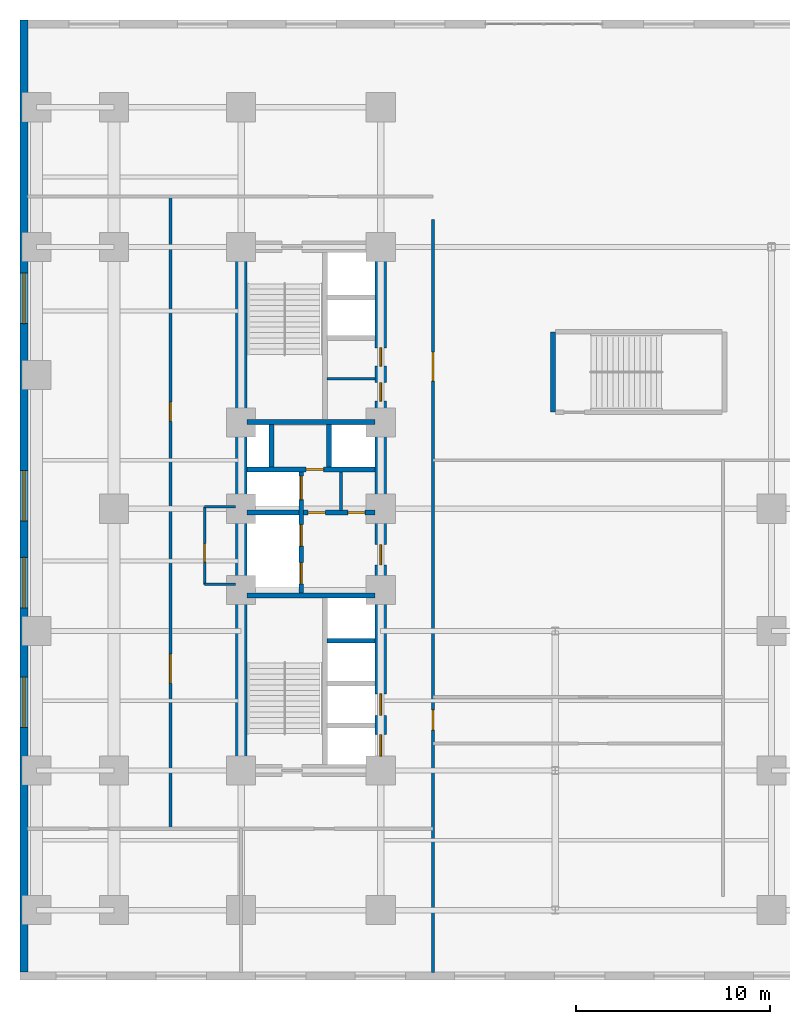
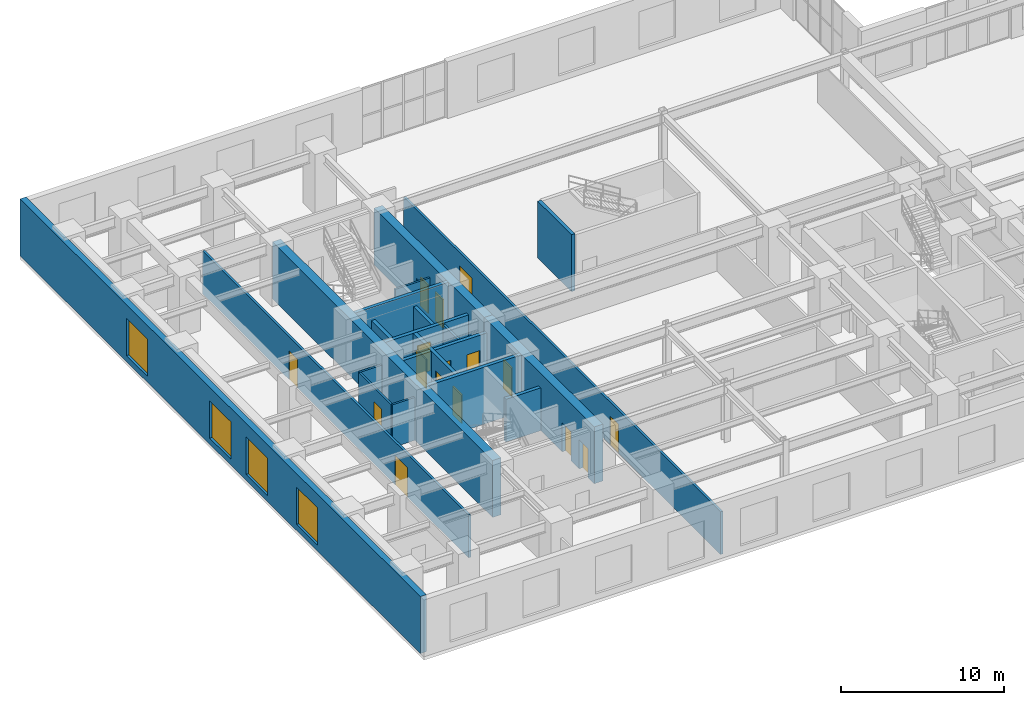
# One storey, part 9 of 15: 20 walls, 16 doors, 4 windows, 20 openings.
"""IFC4 building model written with IfcOpenShell, lengths in metres."""

from ifc_helpers import new_model, entity, si_unit, converted_unit, direction, frame, origin_with_axes, origin_2d_with_axis, place, context, subcontext, project, spatial, polyline, rectangle, outline, extrude, material, layer, layer_set, type_object, element, fill, save


model = new_model("IFC4")

# Units and contexts
model_context = context("Model", 3, precision=1e-05, world=origin_with_axes(), true_north=direction((0.0, 1.0)))
body_context = subcontext(model_context, "Body", "Model", "MODEL_VIEW")
ifc_project = project(units=[si_unit("LENGTHUNIT", "METRE"), si_unit("AREAUNIT", "SQUARE_METRE"), si_unit("VOLUMEUNIT", "CUBIC_METRE"), converted_unit("PLANEANGLEUNIT", "DEGREE", entity("IfcPlaneAngleMeasure", 0.017453292519943295), si_unit("PLANEANGLEUNIT", "RADIAN"), dimensions=[0, 0, 0, 0, 0, 0, 0]), si_unit("MASSUNIT", "GRAM", prefix="KILO"), si_unit("THERMODYNAMICTEMPERATUREUNIT", "KELVIN")], contexts=[model_context])

# Site, building, storey
site_placement = place(None, origin_with_axes())
site = spatial("IfcSite", under=ifc_project, at=site_placement, CompositionType="ELEMENT")
building_placement = place(site_placement, origin_with_axes())
building = spatial("IfcBuilding", under=site, at=building_placement, Name="Varnlund Millrace Tower", CompositionType="ELEMENT")
storey_placement = place(building_placement, frame((0.0, 0.0, 15.3), z_axis=(0.0, 0.0, 1.0), x_axis=(1.0, 0.0, 0.0)))
storey = spatial("IfcBuildingStorey", under=building, at=storey_placement, Name="L03", CompositionType="ELEMENT", Elevation=15.3)

# Wall
ifc_material_1 = material(Name="Concrete C80/95", Category="concrete")
ifc_layer_1 = layer(ifc_material_1, 0.6, Name="Concrete C80/95")
ifc_layer_set_1 = layer_set([ifc_layer_1], Name="Concrete C80/95")
wall_type_1 = type_object("IfcWallType", Name="Type-CoreWall-Shear-600-C80", PredefinedType="SHEAR", material=ifc_layer_set_1)
wall_1_placement = place(storey_placement, frame((11.4, 10.8, 0.0), z_axis=(0.0, 0.0, 1.0), x_axis=(0.0, 1.0, 0.0)))
element("IfcWall", 1, at=wall_1_placement, inside=storey, type_object=wall_type_1, Name="Type-CoreWall-Shear-600-C80", PredefinedType="SHEAR", context=body_context, shape_type="SweptSolid", body=[
    extrude(outline(polyline([(0.0, -0.3), (27.0, -0.3), (27.0, 0.3), (0.0, 0.3), (0.0, -0.3)])), origin_with_axes(), (0.0, 0.0, 1.0), 4.26),
])

# Wall, openings, doors
wall_2_placement = place(storey_placement, frame((18.6, 10.8, 0.0), z_axis=(0.0, 0.0, 1.0), x_axis=(0.0, 1.0, 0.0)))
wall_2 = element("IfcWall", 2, at=wall_2_placement, inside=storey, type_object=wall_type_1, Name="Type-CoreWall-Shear-600-C80", PredefinedType="SHEAR", context=body_context, shape_type="SweptSolid", body=[
    extrude(outline(polyline([(0.0, -0.3), (13.5, -0.3), (13.5, 0.3), (0.0, 0.3), (0.0, -0.3)])), origin_with_axes(), (0.0, 0.0, 1.0), 4.26),
])
opening_1_placement = place(wall_2_placement, frame((1.3, 0.0, 0.0), z_axis=(0.0, 0.0, 1.0), x_axis=(1.0, 0.0, 0.0)))
opening_1 = element("IfcOpeningElement", 3, at=opening_1_placement, cuts=wall_2, Name="Opening L03:LD-ELV-L1", PredefinedType="OPENING", context=body_context, shape_type="SweptSolid", body=[
    extrude(rectangle(XDim=1.1, YDim=0.62, at=origin_2d_with_axis()), origin_with_axes(), (0.0, 0.0, 1.0), 2.15),
])
opening_2_placement = place(wall_2_placement, frame((3.4, 0.0, 0.0), z_axis=(0.0, 0.0, 1.0), x_axis=(1.0, 0.0, 0.0)))
opening_2 = element("IfcOpeningElement", 4, at=opening_2_placement, cuts=wall_2, Name="Opening L03:LD-ELV-L2", PredefinedType="OPENING", context=body_context, shape_type="SweptSolid", body=[
    extrude(rectangle(XDim=1.1, YDim=0.62, at=origin_2d_with_axis()), origin_with_axes(), (0.0, 0.0, 1.0), 2.15),
])
opening_3_placement = place(wall_2_placement, frame((11.125, 0.0, 0.0), z_axis=(0.0, 0.0, 1.0), x_axis=(1.0, 0.0, 0.0)))
opening_3 = element("IfcOpeningElement", 5, at=opening_3_placement, cuts=wall_2, Name="Opening L03:DR-FFLOB-A", PredefinedType="OPENING", context=body_context, shape_type="SweptSolid", body=[
    extrude(rectangle(XDim=1.05, YDim=0.62, at=origin_2d_with_axis()), origin_with_axes(), (0.0, 0.0, 1.0), 2.15),
])
ifc_material_2 = material(Name="Smoke-barrier hollow steel fire door", Category="steel")
door_type_1 = type_object("IfcDoorType", Name="Type-FireDoor-Lobby-1050X2150", OperationType="NOTDEFINED", PredefinedType="DOOR", material=ifc_material_2)
door_1_placement = place(wall_2_placement, frame((11.125, 0.0, 0.0), z_axis=(0.0, 0.0, 1.0), x_axis=(1.0, 0.0, 0.0)))
door_1 = element("IfcDoor", 6, at=door_1_placement, inside=storey, type_object=door_type_1, Name="Type-FireDoor-Lobby-1050X2150", OperationType="SINGLE_SWING_LEFT", OverallHeight=2.15, OverallWidth=1.05, PredefinedType="DOOR", context=body_context, shape_type="SweptSolid", body=[
    extrude(rectangle(XDim=1.05, YDim=0.09, at=origin_2d_with_axis()), origin_with_axes(), (0.0, 0.0, 1.0), 2.15),
])
fill(opening_3, door_1)
ifc_material_3 = material(Name="Stainless and architectural bronze sliding landing door")
door_type_2 = type_object("IfcDoorType", Name="Type-LiftLandingDoor-1100X2150", OperationType="NOTDEFINED", PredefinedType="DOOR", material=ifc_material_3)
door_2_placement = place(wall_2_placement, frame((1.3, 0.0, 0.0), z_axis=(0.0, 0.0, 1.0), x_axis=(1.0, 0.0, 0.0)))
door_2 = element("IfcDoor", 7, at=door_2_placement, inside=storey, type_object=door_type_2, Name="Type-LiftLandingDoor-1100X2150", OperationType="SLIDING_TO_LEFT", OverallHeight=2.15, OverallWidth=1.1, PredefinedType="DOOR", context=body_context, shape_type="SweptSolid", body=[
    extrude(rectangle(XDim=1.1, YDim=0.09, at=origin_2d_with_axis()), origin_with_axes(), (0.0, 0.0, 1.0), 2.15),
])
fill(opening_1, door_2)
door_3_placement = place(wall_2_placement, frame((3.4, 0.0, 0.0), z_axis=(0.0, 0.0, 1.0), x_axis=(1.0, 0.0, 0.0)))
door_3 = element("IfcDoor", 8, at=door_3_placement, inside=storey, type_object=door_type_2, Name="Type-LiftLandingDoor-1100X2150", OperationType="SLIDING_TO_RIGHT", OverallHeight=2.15, OverallWidth=1.1, PredefinedType="DOOR", context=body_context, shape_type="SweptSolid", body=[
    extrude(rectangle(XDim=1.1, YDim=0.09, at=origin_2d_with_axis()), origin_with_axes(), (0.0, 0.0, 1.0), 2.15),
])
fill(opening_2, door_3)

wall_3_placement = place(storey_placement, frame((18.6, 24.3, 0.0), z_axis=(0.0, 0.0, 1.0), x_axis=(0.0, 1.0, 0.0)))
wall_3 = element("IfcWall", 9, at=wall_3_placement, inside=storey, type_object=wall_type_1, Name="Type-CoreWall-Shear-600-C80", PredefinedType="SHEAR", context=body_context, shape_type="SweptSolid", body=[
    extrude(outline(polyline([(0.0, -0.3), (13.5, -0.3), (13.5, 0.3), (0.0, 0.3), (0.0, -0.3)])), origin_with_axes(), (0.0, 0.0, 1.0), 4.26),
])
opening_4_placement = place(wall_3_placement, frame((6.025, 0.0, 0.0), z_axis=(0.0, 0.0, 1.0), x_axis=(1.0, 0.0, 0.0)))
opening_4 = element("IfcOpeningElement", 10, at=opening_4_placement, cuts=wall_3, Name="Opening L03:DR-CA-WC1", PredefinedType="OPENING", context=body_context, shape_type="SweptSolid", body=[
    extrude(rectangle(XDim=0.95, YDim=0.62, at=origin_2d_with_axis()), origin_with_axes(), (0.0, 0.0, 1.0), 2.15),
])
opening_5_placement = place(wall_3_placement, frame((7.825, 0.0, 0.0), z_axis=(0.0, 0.0, 1.0), x_axis=(1.0, 0.0, 0.0)))
opening_5 = element("IfcOpeningElement", 11, at=opening_5_placement, cuts=wall_3, Name="Opening L03:DR-CA-WC2", PredefinedType="OPENING", context=body_context, shape_type="SweptSolid", body=[
    extrude(rectangle(XDim=0.95, YDim=0.62, at=origin_2d_with_axis()), origin_with_axes(), (0.0, 0.0, 1.0), 2.15),
])
ifc_material_4 = material(Name="Fire-rated hollow steel core service door", Category="steel")
door_type_3 = type_object("IfcDoorType", Name="Type-FireDoor-Service-950X2150", OperationType="NOTDEFINED", PredefinedType="DOOR", material=ifc_material_4)
door_4_placement = place(wall_3_placement, frame((6.025, 0.0, 0.0), z_axis=(0.0, 0.0, 1.0), x_axis=(1.0, 0.0, 0.0)))
door_4 = element("IfcDoor", 12, at=door_4_placement, inside=storey, type_object=door_type_3, Name="Type-FireDoor-Service-950X2150", OperationType="SINGLE_SWING_RIGHT", OverallHeight=2.15, OverallWidth=0.95, PredefinedType="DOOR", context=body_context, shape_type="SweptSolid", body=[
    extrude(rectangle(XDim=0.95, YDim=0.09, at=origin_2d_with_axis()), origin_with_axes(), (0.0, 0.0, 1.0), 2.15),
])
fill(opening_4, door_4)
door_5_placement = place(wall_3_placement, frame((7.825, 0.0, 0.0), z_axis=(0.0, 0.0, 1.0), x_axis=(1.0, 0.0, 0.0)))
door_5 = element("IfcDoor", 13, at=door_5_placement, inside=storey, type_object=door_type_3, Name="Type-FireDoor-Service-950X2150", OperationType="SINGLE_SWING_RIGHT", OverallHeight=2.15, OverallWidth=0.95, PredefinedType="DOOR", context=body_context, shape_type="SweptSolid", body=[
    extrude(rectangle(XDim=0.95, YDim=0.09, at=origin_2d_with_axis()), origin_with_axes(), (0.0, 0.0, 1.0), 2.15),
])
fill(opening_5, door_5)

# Wall, openings, windows
ifc_material_5 = material(Name="Precast concrete C50/60", Category="concrete")
ifc_layer_2 = layer(ifc_material_5, 0.42, Name="Precast concrete C50/60")
ifc_layer_set_2 = layer_set([ifc_layer_2], Name="Precast concrete C50/60")
wall_type_2 = type_object("IfcWallType", Name="Type-ExtWall-Precast-Pier-420", PredefinedType="SOLIDWALL", material=ifc_layer_set_2)
wall_4_placement = place(storey_placement, frame((0.21, 0.42, 0.0), z_axis=(0.0, 0.0, 1.0), x_axis=(0.0, 1.0, 0.0)))
wall_4 = element("IfcWall", 14, at=wall_4_placement, inside=storey, type_object=wall_type_2, Name="Type-ExtWall-Precast-Pier-420", PredefinedType="SOLIDWALL", context=body_context, shape_type="SweptSolid", body=[
    extrude(outline(polyline([(0.0, -0.21), (49.08, -0.21), (49.08, 0.21), (0.0, 0.21), (0.0, -0.21)])), origin_with_axes(), (0.0, 0.0, 1.0), 4.26),
])
opening_6_placement = place(wall_4_placement, frame((13.9, 0.0, 0.45), z_axis=(0.0, 0.0, 1.0), x_axis=(1.0, 0.0, 0.0)))
opening_6 = element("IfcOpeningElement", 15, at=opening_6_placement, cuts=wall_4, Name="Opening L03:WN-14", PredefinedType="OPENING", context=body_context, shape_type="SweptSolid", body=[
    extrude(rectangle(XDim=2.6, YDim=0.44, at=origin_2d_with_axis()), origin_with_axes(), (0.0, 0.0, 1.0), 2.8),
])
opening_7_placement = place(wall_4_placement, frame((20.07, 0.0, 0.45), z_axis=(0.0, 0.0, 1.0), x_axis=(1.0, 0.0, 0.0)))
opening_7 = element("IfcOpeningElement", 16, at=opening_7_placement, cuts=wall_4, Name="Opening L03:WN-15", PredefinedType="OPENING", context=body_context, shape_type="SweptSolid", body=[
    extrude(rectangle(XDim=2.6, YDim=0.44, at=origin_2d_with_axis()), origin_with_axes(), (0.0, 0.0, 1.0), 2.8),
])
opening_8_placement = place(wall_4_placement, frame((24.54, 0.0, 0.45), z_axis=(0.0, 0.0, 1.0), x_axis=(1.0, 0.0, 0.0)))
opening_8 = element("IfcOpeningElement", 17, at=opening_8_placement, cuts=wall_4, Name="Opening L03:WN-16", PredefinedType="OPENING", context=body_context, shape_type="SweptSolid", body=[
    extrude(rectangle(XDim=2.6, YDim=0.44, at=origin_2d_with_axis()), origin_with_axes(), (0.0, 0.0, 1.0), 2.8),
])
opening_9_placement = place(wall_4_placement, frame((34.73, 0.0, 0.45), z_axis=(0.0, 0.0, 1.0), x_axis=(1.0, 0.0, 0.0)))
opening_9 = element("IfcOpeningElement", 18, at=opening_9_placement, cuts=wall_4, Name="Opening L03:WN-17", PredefinedType="OPENING", context=body_context, shape_type="SweptSolid", body=[
    extrude(rectangle(XDim=2.6, YDim=0.44, at=origin_2d_with_axis()), origin_with_axes(), (0.0, 0.0, 1.0), 2.8),
])
ifc_material_6 = material(Name="Argon low-e triple glazing in thermally broken bronze frame", Category="glass")
window_type = type_object("IfcWindowType", Name="Type-Window-Podium-2600X2800", PartitioningType="SINGLE_PANEL", PredefinedType="WINDOW", material=ifc_material_6)
window_1_placement = place(wall_4_placement, frame((13.9, 0.0, 0.45), z_axis=(0.0, 0.0, 1.0), x_axis=(1.0, 0.0, 0.0)))
window_1 = element("IfcWindow", 19, at=window_1_placement, inside=storey, type_object=window_type, Name="Type-Window-Podium-2600X2800", OverallHeight=2.8, OverallWidth=2.6, PredefinedType="WINDOW", context=body_context, shape_type="SweptSolid", body=[
    extrude(rectangle(XDim=2.6, YDim=0.09, at=origin_2d_with_axis()), origin_with_axes(), (0.0, 0.0, 1.0), 2.8),
])
fill(opening_6, window_1)
window_2_placement = place(wall_4_placement, frame((20.07, 0.0, 0.45), z_axis=(0.0, 0.0, 1.0), x_axis=(1.0, 0.0, 0.0)))
window_2 = element("IfcWindow", 20, at=window_2_placement, inside=storey, type_object=window_type, Name="Type-Window-Podium-2600X2800", OverallHeight=2.8, OverallWidth=2.6, PredefinedType="WINDOW", context=body_context, shape_type="SweptSolid", body=[
    extrude(rectangle(XDim=2.6, YDim=0.09, at=origin_2d_with_axis()), origin_with_axes(), (0.0, 0.0, 1.0), 2.8),
])
fill(opening_7, window_2)
window_3_placement = place(wall_4_placement, frame((24.54, 0.0, 0.45), z_axis=(0.0, 0.0, 1.0), x_axis=(1.0, 0.0, 0.0)))
window_3 = element("IfcWindow", 21, at=window_3_placement, inside=storey, type_object=window_type, Name="Type-Window-Podium-2600X2800", OverallHeight=2.8, OverallWidth=2.6, PredefinedType="WINDOW", context=body_context, shape_type="SweptSolid", body=[
    extrude(rectangle(XDim=2.6, YDim=0.09, at=origin_2d_with_axis()), origin_with_axes(), (0.0, 0.0, 1.0), 2.8),
])
fill(opening_8, window_3)
window_4_placement = place(wall_4_placement, frame((34.73, 0.0, 0.45), z_axis=(0.0, 0.0, 1.0), x_axis=(1.0, 0.0, 0.0)))
window_4 = element("IfcWindow", 22, at=window_4_placement, inside=storey, type_object=window_type, Name="Type-Window-Podium-2600X2800", OverallHeight=2.8, OverallWidth=2.6, PredefinedType="WINDOW", context=body_context, shape_type="SweptSolid", body=[
    extrude(rectangle(XDim=2.6, YDim=0.09, at=origin_2d_with_axis()), origin_with_axes(), (0.0, 0.0, 1.0), 2.8),
])
fill(opening_9, window_4)

# Wall
ifc_material_7 = material(Name="Fire-rated gypsum board on cold-formed steel framing", Category="steel")
ifc_layer_3 = layer(ifc_material_7, 0.16, Name="Fire-rated gypsum board on cold-formed steel framing")
ifc_layer_set_3 = layer_set([ifc_layer_3], Name="Fire-rated gypsum board on cold-formed steel framing")
wall_type_3 = type_object("IfcWallType", Name="Type-Partition-Corridor-160", PredefinedType="PARTITIONING", material=ifc_layer_set_3)
wall_5_placement = place(storey_placement, frame((16.55, 24.22, 0.0), z_axis=(0.0, 0.0, 1.0), x_axis=(0.0, 1.0, 0.0)))
element("IfcWall", 23, at=wall_5_placement, inside=storey, type_object=wall_type_3, Name="Type-Partition-Corridor-160", PredefinedType="PARTITIONING", context=body_context, shape_type="SweptSolid", body=[
    extrude(outline(polyline([(0.0, -0.08), (1.98, -0.08), (1.98, 0.08), (0.0, 0.08), (0.0, -0.08)])), origin_with_axes(), (0.0, 0.0, 1.0), 3.2),
])

# Wall, openings, doors
wall_6_placement = place(storey_placement, frame((7.75, 7.8, 0.0), z_axis=(0.0, 0.0, 1.0), x_axis=(0.0, 1.0, 0.0)))
wall_6 = element("IfcWall", 24, at=wall_6_placement, inside=storey, type_object=wall_type_3, Name="Type-Partition-Corridor-160", PredefinedType="PARTITIONING", context=body_context, shape_type="SweptSolid", body=[
    extrude(outline(polyline([(0.0, -0.08), (32.6, -0.08), (32.6, 0.08), (0.0, 0.08), (0.0, -0.08)])), origin_with_axes(), (0.0, 0.0, 1.0), 3.2),
])
opening_10_placement = place(wall_6_placement, frame((8.25, 0.0, 0.0), z_axis=(0.0, 0.0, 1.0), x_axis=(1.0, 0.0, 0.0)))
opening_10 = element("IfcOpeningElement", 25, at=opening_10_placement, cuts=wall_6, Name="Opening L03:DR-POD-W1", PredefinedType="OPENING", context=body_context, shape_type="SweptSolid", body=[
    extrude(rectangle(XDim=1.5, YDim=0.18, at=origin_2d_with_axis()), origin_with_axes(), (0.0, 0.0, 1.0), 2.2),
])
opening_11_placement = place(wall_6_placement, frame((21.5, 0.0, 0.0), z_axis=(0.0, 0.0, 1.0), x_axis=(1.0, 0.0, 0.0)))
opening_11 = element("IfcOpeningElement", 26, at=opening_11_placement, cuts=wall_6, Name="Opening L03:DR-POD-W2", PredefinedType="OPENING", context=body_context, shape_type="SweptSolid", body=[
    extrude(rectangle(XDim=1.0, YDim=0.18, at=origin_2d_with_axis()), origin_with_axes(), (0.0, 0.0, 1.0), 2.15),
])
ifc_material_8 = material(Name="Solid-core white oak and bronze frame door")
door_type_4 = type_object("IfcDoorType", Name="Type-IntDoor-Office-1000X2150", OperationType="NOTDEFINED", PredefinedType="DOOR", material=ifc_material_8)
door_6_placement = place(wall_6_placement, frame((21.5, 0.0, 0.0), z_axis=(0.0, 0.0, 1.0), x_axis=(1.0, 0.0, 0.0)))
door_6 = element("IfcDoor", 27, at=door_6_placement, inside=storey, type_object=door_type_4, Name="Type-IntDoor-Office-1000X2150", OperationType="SINGLE_SWING_LEFT", OverallHeight=2.15, OverallWidth=1.0, PredefinedType="DOOR", context=body_context, shape_type="SweptSolid", body=[
    extrude(rectangle(XDim=1.0, YDim=0.09, at=origin_2d_with_axis()), origin_with_axes(), (0.0, 0.0, 1.0), 2.15),
])
fill(opening_11, door_6)
ifc_material_9 = material(Name="Architectural bronze and acoustic glass double door", Category="glass")
door_type_5 = type_object("IfcDoorType", Name="Type-IntDoor-SuitePair-1500X2200", OperationType="NOTDEFINED", PredefinedType="DOOR", material=ifc_material_9)
door_7_placement = place(wall_6_placement, frame((8.25, 0.0, 0.0), z_axis=(0.0, 0.0, 1.0), x_axis=(1.0, 0.0, 0.0)))
door_7 = element("IfcDoor", 28, at=door_7_placement, inside=storey, type_object=door_type_5, Name="Type-IntDoor-SuitePair-1500X2200", OperationType="DOUBLE_DOOR_SINGLE_SWING", OverallHeight=2.2, OverallWidth=1.5, PredefinedType="DOOR", context=body_context, shape_type="SweptSolid", body=[
    extrude(rectangle(XDim=1.5, YDim=0.09, at=origin_2d_with_axis()), origin_with_axes(), (0.0, 0.0, 1.0), 2.2),
])
fill(opening_10, door_7)

wall_7_placement = place(storey_placement, frame((21.3, 0.38, 0.0), z_axis=(0.0, 0.0, 1.0), x_axis=(0.0, 1.0, 0.0)))
wall_7 = element("IfcWall", 29, at=wall_7_placement, inside=storey, type_object=wall_type_3, Name="Type-Partition-Corridor-160", PredefinedType="PARTITIONING", context=body_context, shape_type="SweptSolid", body=[
    extrude(outline(polyline([(0.0, -0.08), (38.84, -0.08), (38.84, 0.08), (0.0, 0.08), (0.0, -0.08)])), origin_with_axes(), (0.0, 0.0, 1.0), 3.2),
])
opening_12_placement = place(wall_7_placement, frame((13.025, 0.0, 0.0), z_axis=(0.0, 0.0, 1.0), x_axis=(1.0, 0.0, 0.0)))
opening_12 = element("IfcOpeningElement", 30, at=opening_12_placement, cuts=wall_7, Name="Opening L03:DR-POD-BC", PredefinedType="OPENING", context=body_context, shape_type="SweptSolid", body=[
    extrude(rectangle(XDim=1.05, YDim=0.18, at=origin_2d_with_axis()), origin_with_axes(), (0.0, 0.0, 1.0), 2.15),
])
opening_13_placement = place(wall_7_placement, frame((31.25, 0.0, 0.0), z_axis=(0.0, 0.0, 1.0), x_axis=(1.0, 0.0, 0.0)))
opening_13 = element("IfcOpeningElement", 31, at=opening_13_placement, cuts=wall_7, Name="Opening L03:DR-POD-E2", PredefinedType="OPENING", context=body_context, shape_type="SweptSolid", body=[
    extrude(rectangle(XDim=1.5, YDim=0.18, at=origin_2d_with_axis()), origin_with_axes(), (0.0, 0.0, 1.0), 2.2),
])
door_8_placement = place(wall_7_placement, frame((13.025, 0.0, 0.0), z_axis=(0.0, 0.0, 1.0), x_axis=(1.0, 0.0, 0.0)))
door_8 = element("IfcDoor", 32, at=door_8_placement, inside=storey, type_object=door_type_1, Name="Type-FireDoor-Lobby-1050X2150", OperationType="SINGLE_SWING_LEFT", OverallHeight=2.15, OverallWidth=1.05, PredefinedType="DOOR", context=body_context, shape_type="SweptSolid", body=[
    extrude(rectangle(XDim=1.05, YDim=0.09, at=origin_2d_with_axis()), origin_with_axes(), (0.0, 0.0, 1.0), 2.15),
])
fill(opening_12, door_8)
door_9_placement = place(wall_7_placement, frame((31.25, 0.0, 0.0), z_axis=(0.0, 0.0, 1.0), x_axis=(1.0, 0.0, 0.0)))
door_9 = element("IfcDoor", 33, at=door_9_placement, inside=storey, type_object=door_type_5, Name="Type-IntDoor-SuitePair-1500X2200", OperationType="DOUBLE_DOOR_SINGLE_SWING", OverallHeight=2.2, OverallWidth=1.5, PredefinedType="DOOR", context=body_context, shape_type="SweptSolid", body=[
    extrude(rectangle(XDim=1.5, YDim=0.09, at=origin_2d_with_axis()), origin_with_axes(), (0.0, 0.0, 1.0), 2.2),
])
fill(opening_13, door_9)

# Wall
ifc_material_10 = material(Name="Moisture-resistant gypsum restroom partition", Category="gypsum")
ifc_layer_4 = layer(ifc_material_10, 0.14, Name="Moisture-resistant gypsum restroom partition")
ifc_layer_set_4 = layer_set([ifc_layer_4], Name="Moisture-resistant gypsum restroom partition")
wall_type_4 = type_object("IfcWallType", Name="Type-Partition-Wet-140", PredefinedType="PARTITIONING", material=ifc_layer_set_4)
wall_8_placement = place(storey_placement, frame((15.84, 31.0, 0.0), z_axis=(0.0, 0.0, 1.0), x_axis=(1.0, 0.0, 0.0)))
element("IfcWall", 34, at=wall_8_placement, inside=storey, type_object=wall_type_4, Name="Type-Partition-Wet-140", PredefinedType="PARTITIONING", context=body_context, shape_type="SweptSolid", body=[
    extrude(outline(polyline([(0.0, -0.07), (2.46, -0.07), (2.46, 0.07), (0.0, 0.07), (0.0, -0.07)])), origin_with_axes(), (0.0, 0.0, 1.0), 3.2),
])

# Wall, opening, door
wall_9_placement = place(storey_placement, frame((9.52, 20.4, 0.0), z_axis=(0.0, 0.0, 1.0), x_axis=(0.0, 1.0, 0.0)))
wall_9 = element("IfcWall", 35, at=wall_9_placement, inside=storey, type_object=wall_type_4, Name="Type-Partition-Wet-140", PredefinedType="PARTITIONING", context=body_context, shape_type="SweptSolid", body=[
    extrude(outline(polyline([(0.0, -0.07), (4.0, -0.07), (4.0, 0.07), (0.0, 0.07), (0.0, -0.07)])), origin_with_axes(), (0.0, 0.0, 1.0), 3.2),
])
opening_14_placement = place(wall_9_placement, frame((1.625, 0.0, 0.0), z_axis=(0.0, 0.0, 1.0), x_axis=(1.0, 0.0, 0.0)))
opening_14 = element("IfcOpeningElement", 36, at=opening_14_placement, cuts=wall_9, Name="Opening L03:DR-CA-WCW", PredefinedType="OPENING", context=body_context, shape_type="SweptSolid", body=[
    extrude(rectangle(XDim=0.95, YDim=0.16, at=origin_2d_with_axis()), origin_with_axes(), (0.0, 0.0, 1.0), 2.15),
])
ifc_material_11 = material(Name="Solid-core acoustic office door")
door_type_6 = type_object("IfcDoorType", Name="Type-IntDoor-Tenant-950X2150", OperationType="NOTDEFINED", PredefinedType="DOOR", material=ifc_material_11)
door_10_placement = place(wall_9_placement, frame((1.625, 0.0, 0.0), z_axis=(0.0, 0.0, 1.0), x_axis=(1.0, 0.0, 0.0)))
door_10 = element("IfcDoor", 37, at=door_10_placement, inside=storey, type_object=door_type_6, Name="Type-IntDoor-Tenant-950X2150", OperationType="SINGLE_SWING_LEFT", OverallHeight=2.15, OverallWidth=0.95, PredefinedType="DOOR", context=body_context, shape_type="SweptSolid", body=[
    extrude(rectangle(XDim=0.95, YDim=0.084, at=origin_2d_with_axis()), origin_with_axes(), (0.0, 0.0, 1.0), 2.15),
])
fill(opening_14, door_10)

# Walls
for number, where, z_axis, x_axis, name in (
    (38, (9.52, 20.4, 0.0), (0.0, 0.0, 1.0), (1.0, 0.0, 0.0), "Type-Partition-Wet-140"),
    (39, (9.52, 24.4, 0.0), (0.0, 0.0, 1.0), (1.0, 0.0, 0.0), "Type-Partition-Wet-140"),
):
    element("IfcWall", number, at=place(storey_placement, frame(where, z_axis=z_axis, x_axis=x_axis)), inside=storey, type_object=wall_type_4, Name=name, PredefinedType="PARTITIONING", context=body_context, shape_type="SweptSolid", body=[
        extrude(outline(polyline([(0.0, -0.07), (1.58, -0.07), (1.58, 0.07), (0.0, 0.07), (0.0, -0.07)])), origin_with_axes(), (0.0, 0.0, 1.0), 3.2),
    ])

# Wall, openings, doors
ifc_material_12 = material(Name="Concrete C60/75", Category="concrete")
ifc_layer_5 = layer(ifc_material_12, 0.25, Name="Concrete C60/75")
ifc_layer_set_5 = layer_set([ifc_layer_5], Name="Concrete C60/75")
wall_type_5 = type_object("IfcWallType", Name="Type-ShaftWall-Fire-250", PredefinedType="SOLIDWALL", material=ifc_layer_set_5)
wall_10_placement = place(storey_placement, frame((14.5, 19.95, 0.0), z_axis=(0.0, 0.0, 1.0), x_axis=(0.0, 1.0, 0.0)))
wall_10 = element("IfcWall", 40, at=wall_10_placement, inside=storey, type_object=wall_type_5, Name="Type-ShaftWall-Fire-250", PredefinedType="SOLIDWALL", context=body_context, shape_type="SweptSolid", body=[
    extrude(outline(polyline([(0.0, -0.125), (6.25, -0.125), (6.25, 0.125), (0.0, 0.125), (0.0, -0.125)])), origin_with_axes(), (0.0, 0.0, 1.0), 3.3),
])
opening_15_placement = place(wall_10_placement, frame((1.025, 0.0, 0.0), z_axis=(0.0, 0.0, 1.0), x_axis=(1.0, 0.0, 0.0)))
opening_15 = element("IfcOpeningElement", 41, at=opening_15_placement, cuts=wall_10, Name="Opening L03:LD-FSAE1", PredefinedType="OPENING", context=body_context, shape_type="SweptSolid", body=[
    extrude(rectangle(XDim=1.1, YDim=0.27, at=origin_2d_with_axis()), origin_with_axes(), (0.0, 0.0, 1.0), 2.15),
])
opening_16_placement = place(wall_10_placement, frame((2.975, 0.0, 0.0), z_axis=(0.0, 0.0, 1.0), x_axis=(1.0, 0.0, 0.0)))
opening_16 = element("IfcOpeningElement", 42, at=opening_16_placement, cuts=wall_10, Name="Opening L03:LD-FSAE2", PredefinedType="OPENING", context=body_context, shape_type="SweptSolid", body=[
    extrude(rectangle(XDim=1.1, YDim=0.27, at=origin_2d_with_axis()), origin_with_axes(), (0.0, 0.0, 1.0), 2.15),
])
opening_17_placement = place(wall_10_placement, frame((5.425, 0.0, 0.0), z_axis=(0.0, 0.0, 1.0), x_axis=(1.0, 0.0, 0.0)))
opening_17 = element("IfcOpeningElement", 43, at=opening_17_placement, cuts=wall_10, Name="Opening L03:LD-SRV1", PredefinedType="OPENING", context=body_context, shape_type="SweptSolid", body=[
    extrude(rectangle(XDim=1.2, YDim=0.27, at=origin_2d_with_axis()), origin_with_axes(), (0.0, 0.0, 1.0), 2.15),
])
door_11_placement = place(wall_10_placement, frame((1.025, 0.0, 0.0), z_axis=(0.0, 0.0, 1.0), x_axis=(1.0, 0.0, 0.0)))
door_11 = element("IfcDoor", 44, at=door_11_placement, inside=storey, type_object=door_type_2, Name="Type-LiftLandingDoor-1100X2150", OperationType="SLIDING_TO_LEFT", OverallHeight=2.15, OverallWidth=1.1, PredefinedType="DOOR", context=body_context, shape_type="SweptSolid", body=[
    extrude(rectangle(XDim=1.1, YDim=0.09, at=origin_2d_with_axis()), origin_with_axes(), (0.0, 0.0, 1.0), 2.15),
])
fill(opening_15, door_11)
door_12_placement = place(wall_10_placement, frame((2.975, 0.0, 0.0), z_axis=(0.0, 0.0, 1.0), x_axis=(1.0, 0.0, 0.0)))
door_12 = element("IfcDoor", 45, at=door_12_placement, inside=storey, type_object=door_type_2, Name="Type-LiftLandingDoor-1100X2150", OperationType="SLIDING_TO_RIGHT", OverallHeight=2.15, OverallWidth=1.1, PredefinedType="DOOR", context=body_context, shape_type="SweptSolid", body=[
    extrude(rectangle(XDim=1.1, YDim=0.09, at=origin_2d_with_axis()), origin_with_axes(), (0.0, 0.0, 1.0), 2.15),
])
fill(opening_16, door_12)
ifc_material_13 = material(Name="Heavy-duty freight sliding landing door")
door_type_7 = type_object("IfcDoorType", Name="Type-LiftLandingDoor-Service-1200X2150", OperationType="NOTDEFINED", PredefinedType="DOOR", material=ifc_material_13)
door_13_placement = place(wall_10_placement, frame((5.425, 0.0, 0.0), z_axis=(0.0, 0.0, 1.0), x_axis=(1.0, 0.0, 0.0)))
door_13 = element("IfcDoor", 46, at=door_13_placement, inside=storey, type_object=door_type_7, Name="Type-LiftLandingDoor-Service-1200X2150", OperationType="DOUBLE_DOOR_SLIDING", OverallHeight=2.15, OverallWidth=1.2, PredefinedType="DOOR", context=body_context, shape_type="SweptSolid", body=[
    extrude(rectangle(XDim=1.2, YDim=0.09, at=origin_2d_with_axis()), origin_with_axes(), (0.0, 0.0, 1.0), 2.15),
])
fill(opening_17, door_13)

wall_11_placement = place(storey_placement, frame((11.7, 24.1, 0.0), z_axis=(0.0, 0.0, 1.0), x_axis=(1.0, 0.0, 0.0)))
wall_11 = element("IfcWall", 47, at=wall_11_placement, inside=storey, type_object=wall_type_5, Name="Type-ShaftWall-Fire-250", PredefinedType="SOLIDWALL", context=body_context, shape_type="SweptSolid", body=[
    extrude(outline(polyline([(0.0, -0.125), (6.6, -0.125), (6.6, 0.125), (0.0, 0.125), (0.0, -0.125)])), origin_with_axes(), (0.0, 0.0, 1.0), 3.3),
])
opening_18_placement = place(wall_11_placement, frame((3.6, 0.0, 0.0), z_axis=(0.0, 0.0, 1.0), x_axis=(1.0, 0.0, 0.0)))
opening_18 = element("IfcOpeningElement", 48, at=opening_18_placement, cuts=wall_11, Name="Opening L03:DR-CA-SUB1", PredefinedType="OPENING", context=body_context, shape_type="SweptSolid", body=[
    extrude(rectangle(XDim=0.9, YDim=0.27, at=origin_2d_with_axis()), origin_with_axes(), (0.0, 0.0, 1.0), 2.15),
])
opening_19_placement = place(wall_11_placement, frame((5.65, 0.0, 0.0), z_axis=(0.0, 0.0, 1.0), x_axis=(1.0, 0.0, 0.0)))
opening_19 = element("IfcOpeningElement", 49, at=opening_19_placement, cuts=wall_11, Name="Opening L03:DR-CA-SUB2", PredefinedType="OPENING", context=body_context, shape_type="SweptSolid", body=[
    extrude(rectangle(XDim=0.9, YDim=0.27, at=origin_2d_with_axis()), origin_with_axes(), (0.0, 0.0, 1.0), 2.15),
])
ifc_material_14 = material(Name="Fire-rated hollow steel service closet door", Category="steel")
door_type_8 = type_object("IfcDoorType", Name="Type-FireDoor-Closet-900X2150", OperationType="NOTDEFINED", PredefinedType="DOOR", material=ifc_material_14)
door_14_placement = place(wall_11_placement, frame((3.6, 0.0, 0.0), z_axis=(0.0, 0.0, 1.0), x_axis=(1.0, 0.0, 0.0)))
door_14 = element("IfcDoor", 50, at=door_14_placement, inside=storey, type_object=door_type_8, Name="Type-FireDoor-Closet-900X2150", OperationType="SINGLE_SWING_LEFT", OverallHeight=2.15, OverallWidth=0.9, PredefinedType="DOOR", context=body_context, shape_type="SweptSolid", body=[
    extrude(rectangle(XDim=0.9, YDim=0.09, at=origin_2d_with_axis()), origin_with_axes(), (0.0, 0.0, 1.0), 2.15),
])
fill(opening_18, door_14)
door_15_placement = place(wall_11_placement, frame((5.65, 0.0, 0.0), z_axis=(0.0, 0.0, 1.0), x_axis=(1.0, 0.0, 0.0)))
door_15 = element("IfcDoor", 51, at=door_15_placement, inside=storey, type_object=door_type_8, Name="Type-FireDoor-Closet-900X2150", OperationType="SINGLE_SWING_LEFT", OverallHeight=2.15, OverallWidth=0.9, PredefinedType="DOOR", context=body_context, shape_type="SweptSolid", body=[
    extrude(rectangle(XDim=0.9, YDim=0.09, at=origin_2d_with_axis()), origin_with_axes(), (0.0, 0.0, 1.0), 2.15),
])
fill(opening_19, door_15)

# Wall, opening, door
wall_12_placement = place(storey_placement, frame((11.7, 26.325, 0.0), z_axis=(0.0, 0.0, 1.0), x_axis=(1.0, 0.0, 0.0)))
wall_12 = element("IfcWall", 52, at=wall_12_placement, inside=storey, type_object=wall_type_5, Name="Type-ShaftWall-Fire-250", PredefinedType="SOLIDWALL", context=body_context, shape_type="SweptSolid", body=[
    extrude(outline(polyline([(0.0, -0.125), (6.6, -0.125), (6.6, 0.125), (0.0, 0.125), (0.0, -0.125)])), origin_with_axes(), (0.0, 0.0, 1.0), 3.3),
])
opening_20_placement = place(wall_12_placement, frame((3.5, 0.0, 0.0), z_axis=(0.0, 0.0, 1.0), x_axis=(1.0, 0.0, 0.0)))
opening_20 = element("IfcOpeningElement", 53, at=opening_20_placement, cuts=wall_12, Name="Opening L03:DR-CA-ELC", PredefinedType="OPENING", context=body_context, shape_type="SweptSolid", body=[
    extrude(rectangle(XDim=0.9, YDim=0.27, at=origin_2d_with_axis()), origin_with_axes(), (0.0, 0.0, 1.0), 2.15),
])
door_16_placement = place(wall_12_placement, frame((3.5, 0.0, 0.0), z_axis=(0.0, 0.0, 1.0), x_axis=(1.0, 0.0, 0.0)))
door_16 = element("IfcDoor", 54, at=door_16_placement, inside=storey, type_object=door_type_8, Name="Type-FireDoor-Closet-900X2150", OperationType="SINGLE_SWING_LEFT", OverallHeight=2.15, OverallWidth=0.9, PredefinedType="DOOR", context=body_context, shape_type="SweptSolid", body=[
    extrude(rectangle(XDim=0.9, YDim=0.09, at=origin_2d_with_axis()), origin_with_axes(), (0.0, 0.0, 1.0), 2.15),
])
fill(opening_20, door_16)

# Walls
for number, where, z_axis, x_axis, name in (
    (55, (12.96, 26.45, 0.0), (0.0, 0.0, 1.0), (0.0, 1.0, 0.0), "Type-ShaftWall-Fire-250"),
    (56, (15.925, 26.45, 0.0), (0.0, 0.0, 1.0), (0.0, 1.0, 0.0), "Type-ShaftWall-Fire-250"),
):
    element("IfcWall", number, at=place(storey_placement, frame(where, z_axis=z_axis, x_axis=x_axis)), inside=storey, type_object=wall_type_5, Name=name, PredefinedType="SOLIDWALL", context=body_context, shape_type="SweptSolid", body=[
        extrude(outline(polyline([(0.0, -0.125), (2.2, -0.125), (2.2, 0.125), (0.0, 0.125), (0.0, -0.125)])), origin_with_axes(), (0.0, 0.0, 1.0), 3.3),
    ])
wall_13_placement = place(storey_placement, frame((15.84, 17.49, 0.0), z_axis=(0.0, 0.0, 1.0), x_axis=(1.0, 0.0, 0.0)))
element("IfcWall", 57, at=wall_13_placement, inside=storey, type_object=wall_type_5, Name="Type-ShaftWall-Fire-250", PredefinedType="SOLIDWALL", context=body_context, shape_type="SweptSolid", body=[
    extrude(outline(polyline([(0.0, -0.125), (2.46, -0.125), (2.46, 0.125), (0.0, 0.125), (0.0, -0.125)])), origin_with_axes(), (0.0, 0.0, 1.0), 3.2),
])
wall_type_6 = type_object("IfcWallType", Name="Type-StairWall-Shear-250", PredefinedType="SHEAR", material=ifc_layer_set_5)
for number, where, z_axis, x_axis, name in (
    (58, (11.7, 19.825, 0.0), (0.0, 0.0, 1.0), (1.0, 0.0, 0.0), "Type-StairWall-Shear-250"),
    (59, (11.7, 28.775, 0.0), (0.0, 0.0, 1.0), (1.0, 0.0, 0.0), "Type-StairWall-Shear-250"),
):
    element("IfcWall", number, at=place(storey_placement, frame(where, z_axis=z_axis, x_axis=x_axis)), inside=storey, type_object=wall_type_6, Name=name, PredefinedType="SHEAR", context=body_context, shape_type="SweptSolid", body=[
        extrude(outline(polyline([(0.0, -0.125), (6.6, -0.125), (6.6, 0.125), (0.0, 0.125), (0.0, -0.125)])), origin_with_axes(), (0.0, 0.0, 1.0), 4.26),
    ])
wall_14_placement = place(storey_placement, frame((27.475, 29.275, 0.0), z_axis=(0.0, 0.0, 1.0), x_axis=(0.0, 1.0, 0.0)))
element("IfcWall", 60, at=wall_14_placement, inside=storey, type_object=wall_type_6, Name="Type-StairWall-Shear-250", PredefinedType="SHEAR", context=body_context, shape_type="SweptSolid", body=[
    extrude(outline(polyline([(0.0, -0.125), (4.15, -0.125), (4.15, 0.125), (0.0, 0.125), (0.0, -0.125)])), origin_with_axes(), (0.0, 0.0, 1.0), 4.26),
])

save(model, "model.ifc")
